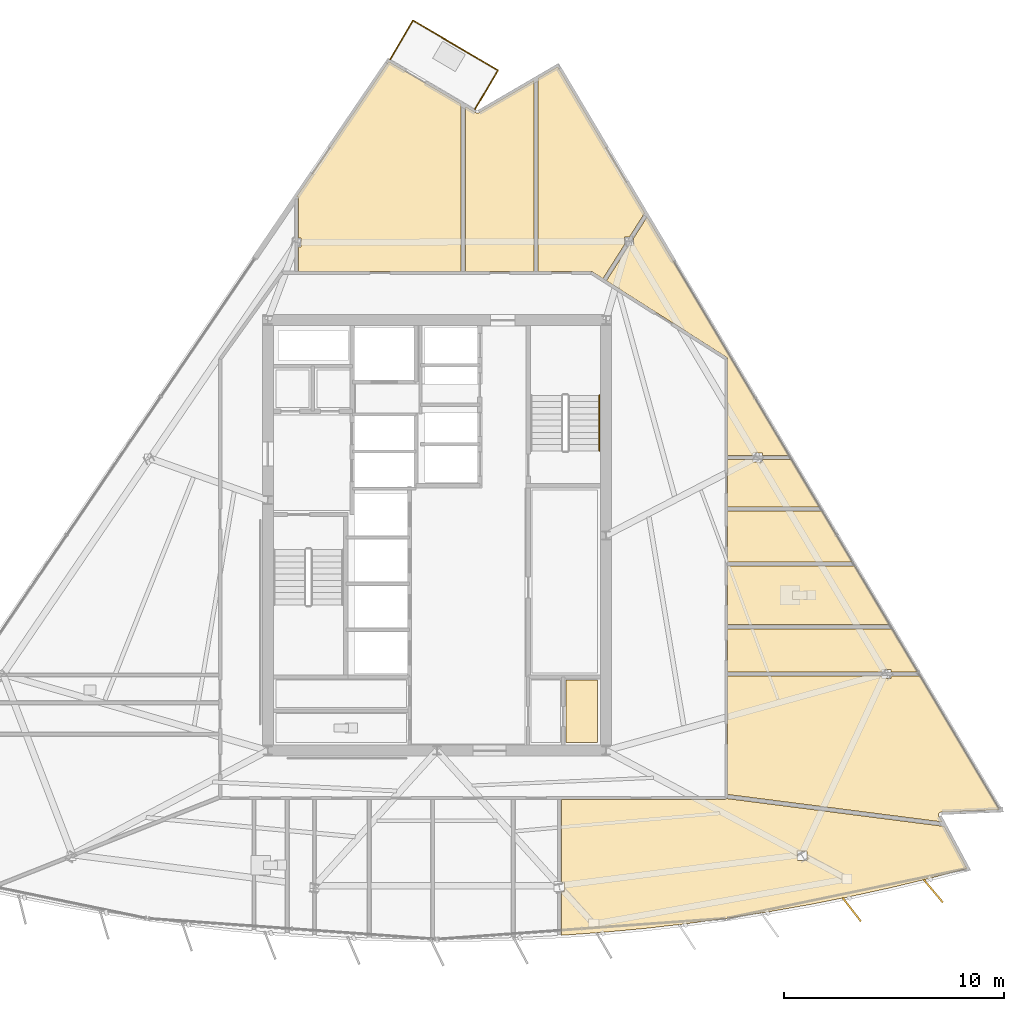
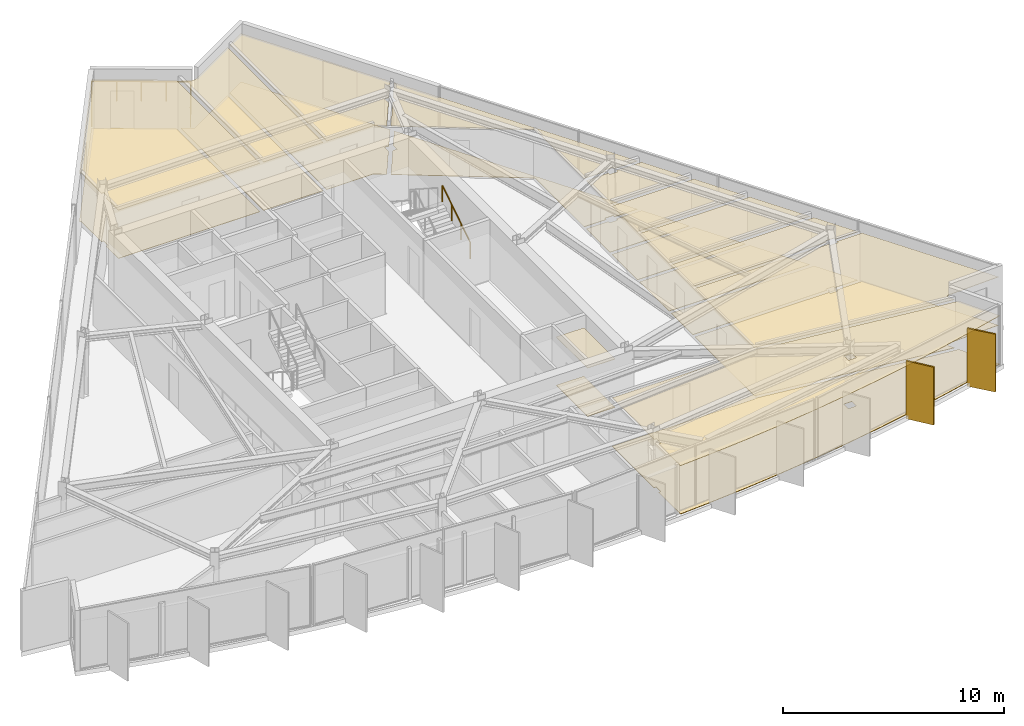
# One storey, part 14 of 15: 22 coverings, 4 railings, 2 shading devices.
"""IFC4 building model written with IfcOpenShell, lengths in metres."""

from ifc_helpers import new_model, si_unit, direction, frame, origin, origin_2d, place, context, subcontext, project, spatial, polyline, rectangle, circle, outline, extrude, material, layer, layer_set, type_object, element, save


model = new_model("IFC4")

# Units and contexts
model_context = context("Model", 3, precision=1e-05, world=origin(), true_north=direction((0.0, 1.0)))
body_context = subcontext(model_context, "Body", "Model", "MODEL_VIEW")
ifc_project = project(units=[si_unit("LENGTHUNIT", "METRE"), si_unit("AREAUNIT", "SQUARE_METRE"), si_unit("VOLUMEUNIT", "CUBIC_METRE"), si_unit("PLANEANGLEUNIT", "RADIAN"), si_unit("MASSUNIT", "GRAM", prefix="KILO")], contexts=[model_context])

# Site, building, storey
site_placement = place(None, origin())
site = spatial("IfcSite", under=ifc_project, at=site_placement, CompositionType="ELEMENT")
building_placement = place(site_placement, origin())
building = spatial("IfcBuilding", under=site, at=building_placement, Name="Savorim Split Tower", CompositionType="ELEMENT")
storey_placement = place(building_placement, frame((0.0, 0.0, 212.699951171875)))
storey = spatial("IfcBuildingStorey", under=building, at=storey_placement, Name="L56", CompositionType="ELEMENT", Elevation=212.699951171875)

# Coverings
ifc_material_1 = material(Name="Mineral Fibre Acoustic Ceiling")
ifc_layer_1 = layer(ifc_material_1, 0.02490234375)
ifc_layer_set_1 = layer_set([ifc_layer_1], Name="COV-CEIL-25")
covering_type_1 = type_object("IfcCoveringType", Name="COV-CEIL-25", PredefinedType="CEILING", material=ifc_layer_set_1)
covering_1_placement = place(storey_placement, frame((0.0, 0.0, 2.670166015625)))
element("IfcCovering", 1, at=covering_1_placement, inside=storey, type_object=covering_type_1, Name="L56 Recycling Chute Room Acoustic Ceiling", PredefinedType="CEILING", context=body_context, shape_type="SweptSolid", body=[
    extrude(outline(polyline([(5.8798828125, -6.179931640625), (5.8798828125, -9.02001953125), (7.320068359375, -9.02001953125), (7.320068359375, -6.179931640625), (5.8798828125, -6.179931640625)])), origin(), (0.0, 0.0, 1.0), 0.02490234375),
])
covering_2_placement = place(storey_placement, frame((0.0, 0.0, 2.670166015625)))
element("IfcCovering", 2, at=covering_2_placement, inside=storey, type_object=covering_type_1, Name="L56 Co-Working Commons Acoustic Ceiling", PredefinedType="CEILING", context=body_context, shape_type="SweptSolid", body=[
    extrude(outline(polyline([(20.61279296875, -15.652587890625), (22.450439453125, -15.2119140625), (24.132568359375, -14.772216796875), (23.101806640625, -12.851318359375), (13.19384765625, -11.583740234375), (13.188720703125, -11.588134765625), (13.177734375, -11.596435546875), (13.166015625, -11.603515625), (13.153564453125, -11.609375), (13.140625, -11.614013671875), (13.127197265625, -11.6171875), (13.11376953125, -11.619384765625), (13.10009765625, -11.6201171875), (5.669677734375, -11.6201171875), (5.669677734375, -15.41162109375), (5.78369140625, -15.41162109375), (5.78369140625, -15.818603515625), (5.669677734375, -15.818603515625), (5.669677734375, -17.762939453125), (5.669677734375, -17.80810546875), (7.55078125, -17.673095703125), (9.4326171875, -17.49951171875), (11.310302734375, -17.287109375), (13.18359375, -17.03662109375), (15.051025390625, -16.74755859375), (16.912353515625, -16.420654296875), (18.7666015625, -16.055419921875), (20.61279296875, -15.652587890625)]), holes=[polyline([(16.842041015625, -14.398681640625), (16.842041015625, -13.99169921875), (16.424072265625, -13.99169921875), (16.424072265625, -14.398681640625), (16.842041015625, -14.398681640625)])]), origin(), (0.0, 0.0, 1.0), 0.02490234375),
])
covering_3_placement = place(storey_placement, frame((0.0, 0.0, 2.670166015625)))
element("IfcCovering", 3, at=covering_3_placement, inside=storey, type_object=covering_type_1, Name="L56 Co-Working Commons Acoustic Ceiling", PredefinedType="CEILING", context=body_context, shape_type="SweptSolid", body=[
    extrude(outline(polyline([(22.926513671875, -12.2060546875), (22.93798828125, -12.203857421875), (22.949462890625, -12.202880859375), (25.611083984375, -12.089599609375), (21.975341796875, -5.974853515625), (21.975341796875, -6.008056640625), (20.674560546875, -6.008056640625), (20.674560546875, -6.116455078125), (20.256591796875, -6.116455078125), (20.256591796875, -6.008056640625), (13.239990234375, -6.008056640625), (13.239990234375, -11.39794921875), (22.99169921875, -12.6455078125), (22.848876953125, -12.37939453125), (22.84375, -12.368896484375), (22.83984375, -12.358154296875), (22.8369140625, -12.346923828125), (22.835205078125, -12.335693359375), (22.83447265625, -12.32421875), (22.8349609375, -12.3125), (22.83642578125, -12.301025390625), (22.839111328125, -12.289794921875), (22.8427734375, -12.27880859375), (22.847412109375, -12.268310546875), (22.853271484375, -12.25830078125), (22.85986328125, -12.248779296875), (22.867431640625, -12.240234375), (22.875732421875, -12.232177734375), (22.884765625, -12.22509765625), (22.89453125, -12.21875), (22.90478515625, -12.21337890625), (22.91552734375, -12.209228515625), (22.926513671875, -12.2060546875)])), origin(), (0.0, 0.0, 1.0), 0.02490234375),
])
covering_4_placement = place(storey_placement, frame((0.0, 0.0, 2.670166015625)))
element("IfcCovering", 4, at=covering_4_placement, inside=storey, type_object=covering_type_1, Name="L56 Co-Working Commons Acoustic Ceiling", PredefinedType="CEILING", context=body_context, shape_type="SweptSolid", body=[
    extrude(outline(polyline([(20.674560546875, -5.70947265625), (20.674560546875, -5.818115234375), (21.88037109375, -5.818115234375), (21.882080078125, -5.818115234375), (20.714599609375, -3.854736328125), (13.239990234375, -3.854736328125), (13.239990234375, -5.818115234375), (20.256591796875, -5.818115234375), (20.256591796875, -5.70947265625), (20.674560546875, -5.70947265625)])), origin(), (0.0, 0.0, 1.0), 0.02490234375),
])
covering_5_placement = place(storey_placement, frame((0.0, 0.0, 2.670166015625)))
element("IfcCovering", 5, at=covering_5_placement, inside=storey, type_object=covering_type_1, Name="L56 Shared Bathroom Acoustic Ceiling", PredefinedType="CEILING", context=body_context, shape_type="SweptSolid", body=[
    extrude(outline(polyline([(20.6015625, -3.664794921875), (19.01416015625, -0.9951171875), (13.239990234375, -0.9951171875), (13.239990234375, -3.664794921875), (20.6015625, -3.664794921875)])), origin(), (0.0, 0.0, 1.0), 0.02490234375),
])
covering_6_placement = place(storey_placement, frame((0.0, 0.0, 2.670166015625)))
element("IfcCovering", 6, at=covering_6_placement, inside=storey, type_object=covering_type_1, Name="L56 Co-Working Commons Acoustic Ceiling", PredefinedType="CEILING", context=body_context, shape_type="SweptSolid", body=[
    extrude(outline(polyline([(18.901123046875, -0.804931640625), (17.523681640625, 1.511474609375), (13.239990234375, 1.511474609375), (13.239990234375, -0.804931640625), (18.901123046875, -0.804931640625)])), origin(), (0.0, 0.0, 1.0), 0.02490234375),
])
covering_7_placement = place(storey_placement, frame((0.0, 0.0, 2.670166015625)))
element("IfcCovering", 7, at=covering_7_placement, inside=storey, type_object=covering_type_1, Name="L56 Co-Living Bedroom Acoustic Ceiling", PredefinedType="CEILING", context=body_context, shape_type="SweptSolid", body=[
    extrude(outline(polyline([(14.399169921875, 3.73388671875), (14.399169921875, 3.842529296875), (13.239990234375, 3.842529296875), (13.239990234375, 1.701416015625), (17.41064453125, 1.701416015625), (16.117919921875, 3.87548828125), (16.117919921875, 3.842529296875), (14.817138671875, 3.842529296875), (14.817138671875, 3.73388671875), (14.399169921875, 3.73388671875)])), origin(), (0.0, 0.0, 1.0), 0.02490234375),
])
covering_8_placement = place(storey_placement, frame((0.0, 0.0, 2.670166015625)))
element("IfcCovering", 8, at=covering_8_placement, inside=storey, type_object=covering_type_1, Name="L56 Co-Working Commons Acoustic Ceiling", PredefinedType="CEILING", context=body_context, shape_type="SweptSolid", body=[
    extrude(outline(polyline([(14.817138671875, 4.14111328125), (14.817138671875, 4.032470703125), (16.02294921875, 4.032470703125), (16.024658203125, 4.032470703125), (9.566650390625, 14.893310546875), (8.9599609375, 13.939453125), (8.9599609375, 13.58447265625), (8.734130859375, 13.58447265625), (7.718994140625, 11.988525390625), (13.175048828125, 8.51806640625), (13.1865234375, 8.510009765625), (13.197265625, 8.500732421875), (13.206787109375, 8.490478515625), (13.21533203125, 8.479248046875), (13.22265625, 8.46728515625), (13.22900390625, 8.45458984375), (13.233642578125, 8.44140625), (13.2373046875, 8.427978515625), (13.2392578125, 8.4140625), (13.239990234375, 8.39990234375), (13.239990234375, 4.032470703125), (14.399169921875, 4.032470703125), (14.399169921875, 4.14111328125), (14.817138671875, 4.14111328125)])), origin(), (0.0, 0.0, 1.0), 0.02490234375),
])
covering_9_placement = place(storey_placement, frame((0.0, 0.0, 2.670166015625)))
element("IfcCovering", 9, at=covering_9_placement, inside=storey, type_object=covering_type_1, Name="L56 Co-Working Commons Acoustic Ceiling", PredefinedType="CEILING", context=body_context, shape_type="SweptSolid", body=[
    extrude(outline(polyline([(9.452880859375, 15.068603515625), (9.468017578125, 15.05908203125), (5.499267578125, 21.7333984375), (4.603271484375, 21.21142578125), (4.603271484375, 12.419921875), (7.0, 12.419921875), (7.01318359375, 12.41943359375), (7.0263671875, 12.41748046875), (7.0390625, 12.414306640625), (7.051513671875, 12.41015625), (7.063720703125, 12.40478515625), (7.0751953125, 12.398193359375), (7.558837890625, 12.090576171875), (8.5419921875, 13.63623046875), (8.5419921875, 13.991455078125), (8.767822265625, 13.991455078125), (9.402099609375, 14.98828125), (9.452880859375, 15.068603515625)])), origin(), (0.0, 0.0, 1.0), 0.02490234375),
])
covering_10_placement = place(storey_placement, frame((0.0, 0.0, 2.670166015625)))
element("IfcCovering", 10, at=covering_10_placement, inside=storey, type_object=covering_type_1, Name="L56 Co-Working Commons Acoustic Ceiling", PredefinedType="CEILING", context=body_context, shape_type="SweptSolid", body=[
    extrude(outline(polyline([(1.800537109375, 19.626708984375), (1.789794921875, 19.631103515625), (1.779541015625, 19.636474609375), (1.297607421875, 19.919921875), (1.297607421875, 12.419921875), (4.413330078125, 12.419921875), (4.413330078125, 21.1005859375), (1.90087890625, 19.63623046875), (1.890625, 19.631103515625), (1.8798828125, 19.626708984375), (1.868896484375, 19.623291015625), (1.857421875, 19.62109375), (1.845947265625, 19.6201171875), (1.83447265625, 19.6201171875), (1.822998046875, 19.621337890625), (1.8115234375, 19.62353515625), (1.800537109375, 19.626708984375)])), origin(), (0.0, 0.0, 1.0), 0.02490234375),
])
covering_11_placement = place(storey_placement, frame((0.0, 0.0, 2.670166015625)))
element("IfcCovering", 11, at=covering_11_placement, inside=storey, type_object=covering_type_1, Name="L56 Co-Working Commons Acoustic Ceiling", PredefinedType="CEILING", context=body_context, shape_type="SweptSolid", body=[
    extrude(outline(polyline([(-6.29638671875, 12.419921875), (1.107421875, 12.419921875), (1.107421875, 20.031494140625), (-2.197021484375, 21.9736328125), (-6.38720703125, 15.813720703125), (-6.29638671875, 15.813720703125), (-6.29638671875, 13.942626953125), (-6.182373046875, 13.942626953125), (-6.182373046875, 13.53564453125), (-6.29638671875, 13.53564453125), (-6.29638671875, 12.419921875)])), origin(), (0.0, 0.0, 1.0), 0.02490234375),
])
ifc_material_2 = material(Name="Porcelain Stoneware Flooring", Category="masonry")
ifc_layer_2 = layer(ifc_material_2, 0.02001953125)
ifc_layer_set_2 = layer_set([ifc_layer_2], Name="COV-FLOR-20")
covering_type_2 = type_object("IfcCoveringType", Name="COV-FLOR-20", PredefinedType="FLOORING", material=ifc_layer_set_2)
covering_12_placement = place(storey_placement, origin())
element("IfcCovering", 12, at=covering_12_placement, inside=storey, type_object=covering_type_2, Name="L56 Recycling Chute Room Porcelain Flooring", PredefinedType="FLOORING", context=body_context, shape_type="SweptSolid", body=[
    extrude(outline(polyline([(5.8798828125, -6.179931640625), (5.8798828125, -9.02001953125), (7.320068359375, -9.02001953125), (7.320068359375, -6.179931640625), (5.8798828125, -6.179931640625)])), origin(), (0.0, 0.0, 1.0), 0.02001953125),
])
covering_13_placement = place(storey_placement, origin())
element("IfcCovering", 13, at=covering_13_placement, inside=storey, type_object=covering_type_2, Name="L56 Co-Working Commons Porcelain Flooring", PredefinedType="FLOORING", context=body_context, shape_type="SweptSolid", body=[
    extrude(outline(polyline([(20.61279296875, -15.652587890625), (22.450439453125, -15.2119140625), (24.132568359375, -14.772216796875), (23.101806640625, -12.851318359375), (13.19384765625, -11.583740234375), (13.188720703125, -11.588134765625), (13.177734375, -11.596435546875), (13.166015625, -11.603515625), (13.153564453125, -11.609375), (13.140625, -11.614013671875), (13.127197265625, -11.6171875), (13.11376953125, -11.619384765625), (13.10009765625, -11.6201171875), (5.669677734375, -11.6201171875), (5.669677734375, -15.41162109375), (5.78369140625, -15.41162109375), (5.78369140625, -15.818603515625), (5.669677734375, -15.818603515625), (5.669677734375, -17.762939453125), (5.669677734375, -17.80810546875), (7.55078125, -17.673095703125), (9.4326171875, -17.49951171875), (11.310302734375, -17.287109375), (13.18359375, -17.03662109375), (15.051025390625, -16.74755859375), (16.912353515625, -16.420654296875), (18.7666015625, -16.055419921875), (20.61279296875, -15.652587890625)]), holes=[polyline([(16.842041015625, -14.398681640625), (16.842041015625, -13.99169921875), (16.424072265625, -13.99169921875), (16.424072265625, -14.398681640625), (16.842041015625, -14.398681640625)])]), origin(), (0.0, 0.0, 1.0), 0.02001953125),
])
covering_14_placement = place(storey_placement, origin())
element("IfcCovering", 14, at=covering_14_placement, inside=storey, type_object=covering_type_2, Name="L56 Co-Working Commons Porcelain Flooring", PredefinedType="FLOORING", context=body_context, shape_type="SweptSolid", body=[
    extrude(outline(polyline([(22.926513671875, -12.2060546875), (22.93798828125, -12.203857421875), (22.949462890625, -12.202880859375), (25.611083984375, -12.089599609375), (21.975341796875, -5.974853515625), (21.975341796875, -6.008056640625), (20.674560546875, -6.008056640625), (20.674560546875, -6.116455078125), (20.256591796875, -6.116455078125), (20.256591796875, -6.008056640625), (13.239990234375, -6.008056640625), (13.239990234375, -11.39794921875), (22.99169921875, -12.6455078125), (22.848876953125, -12.37939453125), (22.84375, -12.368896484375), (22.83984375, -12.358154296875), (22.8369140625, -12.346923828125), (22.835205078125, -12.335693359375), (22.83447265625, -12.32421875), (22.8349609375, -12.3125), (22.83642578125, -12.301025390625), (22.839111328125, -12.289794921875), (22.8427734375, -12.27880859375), (22.847412109375, -12.268310546875), (22.853271484375, -12.25830078125), (22.85986328125, -12.248779296875), (22.867431640625, -12.240234375), (22.875732421875, -12.232177734375), (22.884765625, -12.22509765625), (22.89453125, -12.21875), (22.90478515625, -12.21337890625), (22.91552734375, -12.209228515625), (22.926513671875, -12.2060546875)])), origin(), (0.0, 0.0, 1.0), 0.02001953125),
])
covering_15_placement = place(storey_placement, origin())
element("IfcCovering", 15, at=covering_15_placement, inside=storey, type_object=covering_type_2, Name="L56 Co-Working Commons Porcelain Flooring", PredefinedType="FLOORING", context=body_context, shape_type="SweptSolid", body=[
    extrude(outline(polyline([(20.674560546875, -5.70947265625), (20.674560546875, -5.818115234375), (21.88037109375, -5.818115234375), (21.882080078125, -5.818115234375), (20.714599609375, -3.854736328125), (13.239990234375, -3.854736328125), (13.239990234375, -5.818115234375), (20.256591796875, -5.818115234375), (20.256591796875, -5.70947265625), (20.674560546875, -5.70947265625)])), origin(), (0.0, 0.0, 1.0), 0.02001953125),
])
covering_16_placement = place(storey_placement, origin())
element("IfcCovering", 16, at=covering_16_placement, inside=storey, type_object=covering_type_2, Name="L56 Shared Bathroom Porcelain Flooring", PredefinedType="FLOORING", context=body_context, shape_type="SweptSolid", body=[
    extrude(outline(polyline([(20.6015625, -3.664794921875), (19.01416015625, -0.9951171875), (13.239990234375, -0.9951171875), (13.239990234375, -3.664794921875), (20.6015625, -3.664794921875)])), origin(), (0.0, 0.0, 1.0), 0.02001953125),
])
covering_17_placement = place(storey_placement, origin())
element("IfcCovering", 17, at=covering_17_placement, inside=storey, type_object=covering_type_2, Name="L56 Co-Working Commons Porcelain Flooring", PredefinedType="FLOORING", context=body_context, shape_type="SweptSolid", body=[
    extrude(outline(polyline([(18.901123046875, -0.804931640625), (17.523681640625, 1.511474609375), (13.239990234375, 1.511474609375), (13.239990234375, -0.804931640625), (18.901123046875, -0.804931640625)])), origin(), (0.0, 0.0, 1.0), 0.02001953125),
])
covering_18_placement = place(storey_placement, origin())
element("IfcCovering", 18, at=covering_18_placement, inside=storey, type_object=covering_type_2, Name="L56 Co-Living Bedroom Porcelain Flooring", PredefinedType="FLOORING", context=body_context, shape_type="SweptSolid", body=[
    extrude(outline(polyline([(14.399169921875, 3.73388671875), (14.399169921875, 3.842529296875), (13.239990234375, 3.842529296875), (13.239990234375, 1.701416015625), (17.41064453125, 1.701416015625), (16.117919921875, 3.87548828125), (16.117919921875, 3.842529296875), (14.817138671875, 3.842529296875), (14.817138671875, 3.73388671875), (14.399169921875, 3.73388671875)])), origin(), (0.0, 0.0, 1.0), 0.02001953125),
])
covering_19_placement = place(storey_placement, origin())
element("IfcCovering", 19, at=covering_19_placement, inside=storey, type_object=covering_type_2, Name="L56 Co-Working Commons Porcelain Flooring", PredefinedType="FLOORING", context=body_context, shape_type="SweptSolid", body=[
    extrude(outline(polyline([(14.817138671875, 4.14111328125), (14.817138671875, 4.032470703125), (16.02294921875, 4.032470703125), (16.024658203125, 4.032470703125), (9.566650390625, 14.893310546875), (8.9599609375, 13.939453125), (8.9599609375, 13.58447265625), (8.734130859375, 13.58447265625), (7.718994140625, 11.988525390625), (13.175048828125, 8.51806640625), (13.1865234375, 8.510009765625), (13.197265625, 8.500732421875), (13.206787109375, 8.490478515625), (13.21533203125, 8.479248046875), (13.22265625, 8.46728515625), (13.22900390625, 8.45458984375), (13.233642578125, 8.44140625), (13.2373046875, 8.427978515625), (13.2392578125, 8.4140625), (13.239990234375, 8.39990234375), (13.239990234375, 4.032470703125), (14.399169921875, 4.032470703125), (14.399169921875, 4.14111328125), (14.817138671875, 4.14111328125)])), origin(), (0.0, 0.0, 1.0), 0.02001953125),
])
covering_20_placement = place(storey_placement, origin())
element("IfcCovering", 20, at=covering_20_placement, inside=storey, type_object=covering_type_2, Name="L56 Co-Working Commons Porcelain Flooring", PredefinedType="FLOORING", context=body_context, shape_type="SweptSolid", body=[
    extrude(outline(polyline([(9.452880859375, 15.068603515625), (9.468017578125, 15.05908203125), (5.499267578125, 21.7333984375), (4.603271484375, 21.21142578125), (4.603271484375, 12.419921875), (7.0, 12.419921875), (7.01318359375, 12.41943359375), (7.0263671875, 12.41748046875), (7.0390625, 12.414306640625), (7.051513671875, 12.41015625), (7.063720703125, 12.40478515625), (7.0751953125, 12.398193359375), (7.558837890625, 12.090576171875), (8.5419921875, 13.63623046875), (8.5419921875, 13.991455078125), (8.767822265625, 13.991455078125), (9.402099609375, 14.98828125), (9.452880859375, 15.068603515625)])), origin(), (0.0, 0.0, 1.0), 0.02001953125),
])
covering_21_placement = place(storey_placement, origin())
element("IfcCovering", 21, at=covering_21_placement, inside=storey, type_object=covering_type_2, Name="L56 Co-Working Commons Porcelain Flooring", PredefinedType="FLOORING", context=body_context, shape_type="SweptSolid", body=[
    extrude(outline(polyline([(1.800537109375, 19.626708984375), (1.789794921875, 19.631103515625), (1.779541015625, 19.636474609375), (1.297607421875, 19.919921875), (1.297607421875, 12.419921875), (4.413330078125, 12.419921875), (4.413330078125, 21.1005859375), (1.90087890625, 19.63623046875), (1.890625, 19.631103515625), (1.8798828125, 19.626708984375), (1.868896484375, 19.623291015625), (1.857421875, 19.62109375), (1.845947265625, 19.6201171875), (1.83447265625, 19.6201171875), (1.822998046875, 19.621337890625), (1.8115234375, 19.62353515625), (1.800537109375, 19.626708984375)])), origin(), (0.0, 0.0, 1.0), 0.02001953125),
])
covering_22_placement = place(storey_placement, origin())
element("IfcCovering", 22, at=covering_22_placement, inside=storey, type_object=covering_type_2, Name="L56 Co-Working Commons Porcelain Flooring", PredefinedType="FLOORING", context=body_context, shape_type="SweptSolid", body=[
    extrude(outline(polyline([(-6.29638671875, 12.419921875), (1.107421875, 12.419921875), (1.107421875, 20.031494140625), (-2.197021484375, 21.9736328125), (-6.38720703125, 15.813720703125), (-6.29638671875, 15.813720703125), (-6.29638671875, 13.942626953125), (-6.182373046875, 13.942626953125), (-6.182373046875, 13.53564453125), (-6.29638671875, 13.53564453125), (-6.29638671875, 12.419921875)])), origin(), (0.0, 0.0, 1.0), 0.02001953125),
])

# Railings
ifc_material_3 = material(Name="Galvanised Painted Steel Balustrade", Category="steel")
railing_type_1 = type_object("IfcRailingType", Name="RLG-BAL-1100", PredefinedType="BALUSTRADE", material=ifc_material_3)
railing_1_placement = place(storey_placement, frame((-2.12939453125, 22.0732421875, 0.0)))
element("IfcRailing", 23, at=railing_1_placement, inside=storey, type_object=railing_type_1, Name="L56 Tree Balcony Guardrail N-1", PredefinedType="BALUSTRADE", context=body_context, shape_type="SweptSolid", body=[
    extrude(circle(Radius=0.02392578125, at=origin_2d()), frame((0.0, 0.0, 1.076171875), z_axis=(0.50664533146, 0.862154573211, 0.0), x_axis=(-0.862154573211, 0.50664533146, 0.0)), (0.0, 0.0, 1.0), 2.0498046875),
    extrude(circle(Radius=0.02099609375, at=origin_2d()), origin(), (0.0, 0.0, 1.0), 1.052001953125),
    extrude(circle(Radius=0.02099609375, at=origin_2d()), frame((0.519287109375, 0.8837890625, 0.0)), (0.0, 0.0, 1.0), 1.052001953125),
    extrude(circle(Radius=0.02099609375, at=origin_2d()), frame((1.03857421875, 1.767333984375, 0.0)), (0.0, 0.0, 1.0), 1.052001953125),
])
railing_2_placement = place(storey_placement, frame((-1.0908203125, 23.840576171875, 0.0)))
element("IfcRailing", 24, at=railing_2_placement, inside=storey, type_object=railing_type_1, Name="L56 Tree Balcony Guardrail N-2", PredefinedType="BALUSTRADE", context=body_context, shape_type="SweptSolid", body=[
    extrude(circle(Radius=0.02392578125, at=origin_2d()), frame((0.0, 0.0, 1.076171875), z_axis=(0.86212167761, -0.506701305499, 0.0), x_axis=(0.506701305499, 0.86212167761, 0.0)), (0.0, 0.0, 1.0), 4.48486328125),
    extrude(circle(Radius=0.02099609375, at=origin_2d()), origin(), (0.0, 0.0, 1.0), 1.052001953125),
    extrude(circle(Radius=0.02099609375, at=origin_2d()), frame((0.966552734375, -0.568115234375, 0.0)), (0.0, 0.0, 1.0), 1.052001953125),
    extrude(circle(Radius=0.02099609375, at=origin_2d()), frame((1.93310546875, -1.13623046875, 0.0)), (0.0, 0.0, 1.0), 1.052001953125),
    extrude(circle(Radius=0.02099609375, at=origin_2d()), frame((2.89990234375, -1.704345703125, 0.0)), (0.0, 0.0, 1.0), 1.052001953125),
    extrude(circle(Radius=0.02099609375, at=origin_2d()), frame((3.866455078125, -2.2724609375, 0.0)), (0.0, 0.0, 1.0), 1.052001953125),
])
railing_3_placement = place(storey_placement, frame((2.775634765625, 21.568115234375, 0.0)))
element("IfcRailing", 25, at=railing_3_placement, inside=storey, type_object=railing_type_1, Name="L56 Tree Balcony Guardrail N-3", PredefinedType="BALUSTRADE", context=body_context, shape_type="SweptSolid", body=[
    extrude(circle(Radius=0.02392578125, at=origin_2d()), frame((0.0, 0.0, 1.076171875), z_axis=(-0.506733850669, -0.862102548764, 0.0), x_axis=(0.862102548764, -0.506733850669, 0.0)), (0.0, 0.0, 1.0), 2.050048828125),
    extrude(circle(Radius=0.02099609375, at=origin_2d()), origin(), (0.0, 0.0, 1.0), 1.052001953125),
    extrude(circle(Radius=0.02099609375, at=origin_2d()), frame((-0.51953125, -0.8837890625, 0.0)), (0.0, 0.0, 1.0), 1.052001953125),
    extrude(circle(Radius=0.02099609375, at=origin_2d()), frame((-1.038818359375, -1.767333984375, 0.0)), (0.0, 0.0, 1.0), 1.052001953125),
])
railing_type_2 = type_object("IfcRailingType", Name="RLG-HR-900", PredefinedType="HANDRAIL", material=ifc_material_3)
railing_4_placement = place(storey_placement, frame((7.39990234375, 4.25, 0.179931640625)))
element("IfcRailing", 26, at=railing_4_placement, inside=storey, type_object=railing_type_2, Name="L56 ST-2 stair handrail 1", PredefinedType="HANDRAIL", context=body_context, shape_type="SweptSolid", body=[
    extrude(circle(Radius=0.02392578125, at=origin_2d()), frame((0.0, 0.0, 0.8759765625), z_axis=(0.0, 0.841162588446, 0.540782303519), x_axis=(-1.0, 0.0, 0.0)), (0.0, 0.0, 1.0), 2.995849609375),
    extrude(circle(Radius=0.02099609375, at=origin_2d()), origin(), (0.0, 0.0, 1.0), 0.851806640625),
    extrude(circle(Radius=0.02099609375, at=origin_2d()), frame((0.0, 0.840087890625, 0.5400390625)), (0.0, 0.0, 1.0), 0.851806640625),
    extrude(circle(Radius=0.02099609375, at=origin_2d()), frame((0.0, 1.679931640625, 1.080078125)), (0.0, 0.0, 1.0), 0.851806640625),
    extrude(circle(Radius=0.02099609375, at=origin_2d()), frame((0.0, 2.52001953125, 1.6201171875)), (0.0, 0.0, 1.0), 0.851806640625),
])

# Shading devices
ifc_material_4 = material(Name="Terracotta Ceramic-Coated Aluminium Fin", Category="masonry")
shading_device_type = type_object("IfcShadingDeviceType", Name="SHD-FIN-1360", PredefinedType="USERDEFINED", material=ifc_material_4)
for number, where, z_axis, x_axis, name in (
    (27, (18.8876953125, -16.63916015625, -0.19970703125), (0.0, 0.0, 1.0), (0.611868076908, -0.790959832394, 0.0), "L56 Sawtooth Shading Fin 12"),
    (28, (22.595458984375, -15.7900390625, -0.19970703125), (0.0, 0.0, 1.0), (0.643719022682, -0.765261928909, 0.0), "L56 Sawtooth Shading Fin 13"),
):
    element("IfcShadingDevice", number, at=place(storey_placement, frame(where, z_axis=z_axis, x_axis=x_axis)), inside=storey, type_object=shading_device_type, Name=name, ObjectType="FIN", PredefinedType="USERDEFINED", context=body_context, shape_type="SweptSolid", body=[
        extrude(rectangle(XDim=1.360107421875, YDim=0.080078125, at=origin_2d()), origin(), (0.0, 0.0, 1.0), 3.199951171875),
    ])

save(model, "model.ifc")
